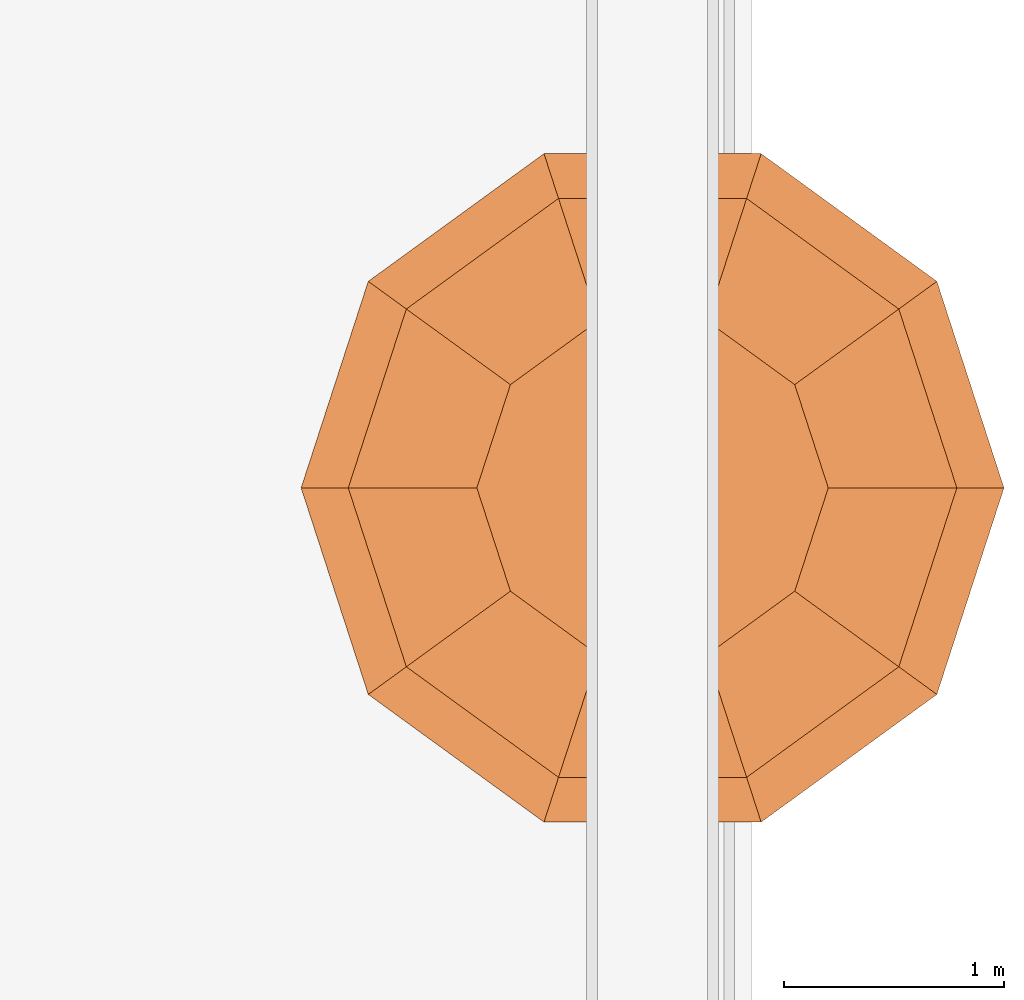
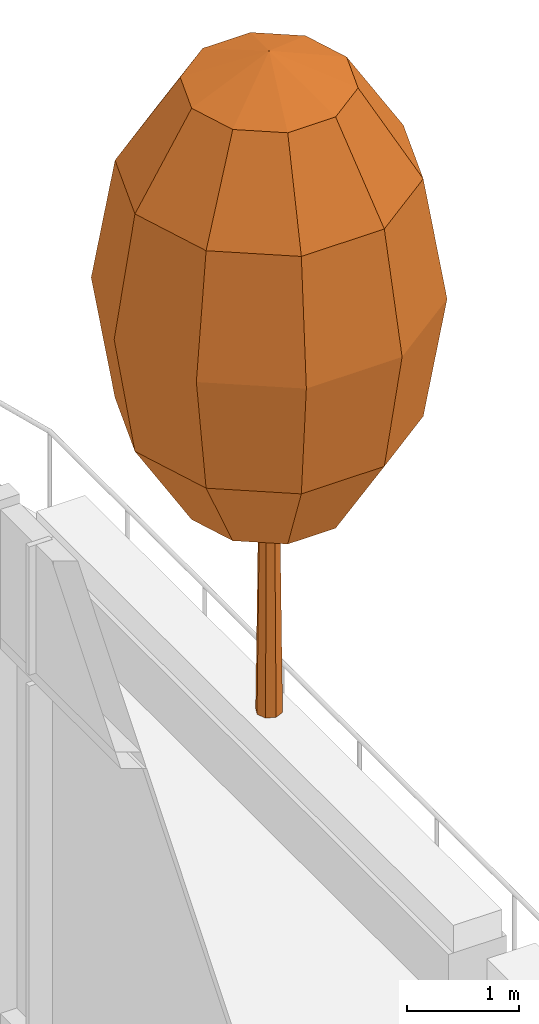
# One storey, part 41 of 41: 1 geographic element.
"""IFC4 building model written with IfcOpenShell, lengths in metres."""

from ifc_helpers import new_model, si_unit, direction, frame, origin, place, context, subcontext, project, spatial, triangles, material, type_object, element, save


model = new_model("IFC4")

# Units and contexts
model_context = context("Model", 3, precision=1e-05, world=origin(), true_north=direction((0.0, 1.0)))
body_context = subcontext(model_context, "Body", "Model", "MODEL_VIEW")
ifc_project = project(units=[si_unit("LENGTHUNIT", "METRE"), si_unit("AREAUNIT", "SQUARE_METRE"), si_unit("VOLUMEUNIT", "CUBIC_METRE"), si_unit("PLANEANGLEUNIT", "RADIAN"), si_unit("MASSUNIT", "GRAM", prefix="KILO")], contexts=[model_context])

# Site, building, storey
site_placement = place(None, origin())
site = spatial("IfcSite", under=ifc_project, at=site_placement, CompositionType="ELEMENT")
building_placement = place(site_placement, origin())
building = spatial("IfcBuilding", under=site, at=building_placement, Name="Hakoniwa Tower and Hamabe Station Hall", CompositionType="ELEMENT")
storey_placement = place(building_placement, frame((0.0, 0.0, 180.199951171875)))
storey = spatial("IfcBuildingStorey", under=building, at=storey_placement, Name="L51", CompositionType="ELEMENT", Elevation=180.199951171875)

# Geographic element
ifc_material = material(Name="Tree foliage")
geographic_element_type = type_object("IfcGeographicElementType", Name="Japanese maple 7.2 m", PredefinedType="USERDEFINED", material=ifc_material)
geographic_element_placement = place(storey_placement, frame((41.950927734375, 12.708984375, 0.900146484375)))
element("IfcGeographicElement", 1, at=geographic_element_placement, inside=storey, type_object=geographic_element_type, Name="Japanese maple 7-2 m", ObjectType="TREE", PredefinedType="USERDEFINED", context=body_context, shape_type="Tessellation", body=[
    triangles([(0.125, 0.0, 0.0), (0.08837890625, 0.08837890625, 0.0), (0.0, 0.125, 0.0), (-0.08837890625, 0.08837890625, 0.0), (-0.125, 0.0, 0.0), (-0.08837890625, -0.08837890625, 0.0), (0.0, -0.125, 0.0), (0.08837890625, -0.08837890625, 0.0), (0.074951171875, 0.0, 4.348876953125), (0.052978515625, 0.052978515625, 4.348876953125), (0.0, 0.074951171875, 4.348876953125), (-0.052978515625, 0.052978515625, 4.348876953125), (-0.074951171875, 0.0, 4.348876953125), (-0.052978515625, -0.052978515625, 4.348876953125), (0.0, -0.074951171875, 4.348876953125), (0.052978515625, -0.052978515625, 4.348876953125), (0.0, 0.0, 0.0), (0.0, 0.0, 4.348876953125)], [[1, 2, 10], [1, 10, 9], [17, 2, 1], [18, 9, 10], [2, 3, 11], [2, 11, 10], [17, 3, 2], [18, 10, 11], [3, 4, 12], [3, 12, 11], [17, 4, 3], [18, 11, 12], [4, 5, 13], [4, 13, 12], [17, 5, 4], [18, 12, 13], [5, 6, 14], [5, 14, 13], [17, 6, 5], [18, 13, 14], [6, 7, 15], [6, 15, 14], [17, 7, 6], [18, 14, 15], [7, 8, 16], [7, 16, 15], [17, 8, 7], [18, 15, 16], [8, 1, 9], [8, 9, 16], [17, 1, 8], [18, 16, 9]], closed=True),
    triangles([(0.0, 0.0, 2.015869140625), (0.800048828125, 0.0, 2.36328125), (0.647216796875, 0.47021484375, 2.36328125), (0.247314453125, 0.7607421875, 2.36328125), (-0.247314453125, 0.7607421875, 2.36328125), (-0.647216796875, 0.47021484375, 2.36328125), (-0.800048828125, 0.0, 2.36328125), (-0.647216796875, -0.47021484375, 2.36328125), (-0.247314453125, -0.7607421875, 2.36328125), (0.247314453125, -0.7607421875, 2.36328125), (0.647216796875, -0.47021484375, 2.36328125), (1.385498046875, 0.0, 3.31201171875), (1.12109375, 0.814453125, 3.31201171875), (0.42822265625, 1.31787109375, 3.31201171875), (-0.42822265625, 1.31787109375, 3.31201171875), (-1.12109375, 0.814453125, 3.31201171875), (-1.385498046875, 0.0, 3.31201171875), (-1.12109375, -0.814453125, 3.31201171875), (-0.42822265625, -1.31787109375, 3.31201171875), (0.42822265625, -1.31787109375, 3.31201171875), (1.12109375, -0.814453125, 3.31201171875), (1.60009765625, 0.0, 4.60791015625), (1.29443359375, 0.9404296875, 4.60791015625), (0.494384765625, 1.521728515625, 4.60791015625), (-0.494384765625, 1.521728515625, 4.60791015625), (-1.29443359375, 0.9404296875, 4.60791015625), (-1.60009765625, 0.0, 4.60791015625), (-1.29443359375, -0.9404296875, 4.60791015625), (-0.494384765625, -1.521728515625, 4.60791015625), (0.494384765625, -1.521728515625, 4.60791015625), (1.29443359375, -0.9404296875, 4.60791015625), (1.385498046875, 0.0, 5.904052734375), (1.12109375, 0.814453125, 5.904052734375), (0.42822265625, 1.31787109375, 5.904052734375), (-0.42822265625, 1.31787109375, 5.904052734375), (-1.12109375, 0.814453125, 5.904052734375), (-1.385498046875, 0.0, 5.904052734375), (-1.12109375, -0.814453125, 5.904052734375), (-0.42822265625, -1.31787109375, 5.904052734375), (0.42822265625, -1.31787109375, 5.904052734375), (1.12109375, -0.814453125, 5.904052734375), (0.800048828125, 0.0, 6.852783203125), (0.647216796875, 0.47021484375, 6.852783203125), (0.247314453125, 0.7607421875, 6.852783203125), (-0.247314453125, 0.7607421875, 6.852783203125), (-0.647216796875, 0.47021484375, 6.852783203125), (-0.800048828125, 0.0, 6.852783203125), (-0.647216796875, -0.47021484375, 6.852783203125), (-0.247314453125, -0.7607421875, 6.852783203125), (0.247314453125, -0.7607421875, 6.852783203125), (0.647216796875, -0.47021484375, 6.852783203125), (0.0, 0.0, 7.199951171875)], [[1, 3, 2], [1, 4, 3], [1, 5, 4], [1, 6, 5], [1, 7, 6], [1, 8, 7], [1, 9, 8], [1, 10, 9], [1, 11, 10], [1, 2, 11], [2, 3, 13], [2, 13, 12], [3, 4, 14], [3, 14, 13], [4, 5, 15], [4, 15, 14], [5, 6, 16], [5, 16, 15], [6, 7, 17], [6, 17, 16], [7, 8, 18], [7, 18, 17], [8, 9, 19], [8, 19, 18], [9, 10, 20], [9, 20, 19], [10, 11, 21], [10, 21, 20], [11, 2, 12], [11, 12, 21], [12, 13, 23], [12, 23, 22], [13, 14, 24], [13, 24, 23], [14, 15, 25], [14, 25, 24], [15, 16, 26], [15, 26, 25], [16, 17, 27], [16, 27, 26], [17, 18, 28], [17, 28, 27], [18, 19, 29], [18, 29, 28], [19, 20, 30], [19, 30, 29], [20, 21, 31], [20, 31, 30], [21, 12, 22], [21, 22, 31], [22, 23, 33], [22, 33, 32], [23, 24, 34], [23, 34, 33], [24, 25, 35], [24, 35, 34], [25, 26, 36], [25, 36, 35], [26, 27, 37], [26, 37, 36], [27, 28, 38], [27, 38, 37], [28, 29, 39], [28, 39, 38], [29, 30, 40], [29, 40, 39], [30, 31, 41], [30, 41, 40], [31, 22, 32], [31, 32, 41], [32, 33, 43], [32, 43, 42], [33, 34, 44], [33, 44, 43], [34, 35, 45], [34, 45, 44], [35, 36, 46], [35, 46, 45], [36, 37, 47], [36, 47, 46], [37, 38, 48], [37, 48, 47], [38, 39, 49], [38, 49, 48], [39, 40, 50], [39, 50, 49], [40, 41, 51], [40, 51, 50], [41, 32, 42], [41, 42, 51], [52, 42, 43], [52, 43, 44], [52, 44, 45], [52, 45, 46], [52, 46, 47], [52, 47, 48], [52, 48, 49], [52, 49, 50], [52, 50, 51], [52, 51, 42]], closed=True),
])

save(model, "model.ifc")
